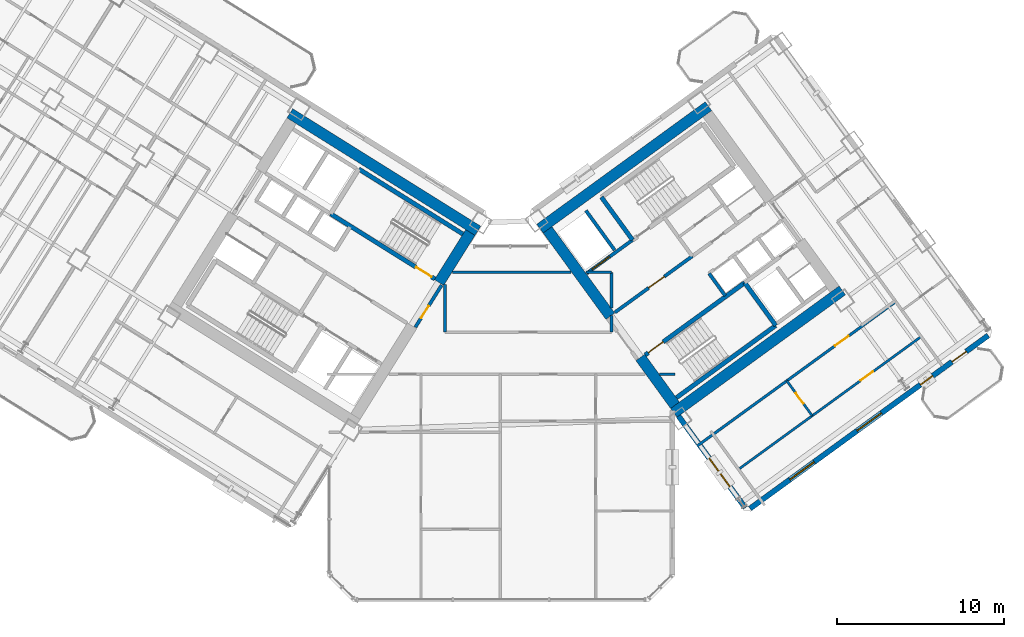
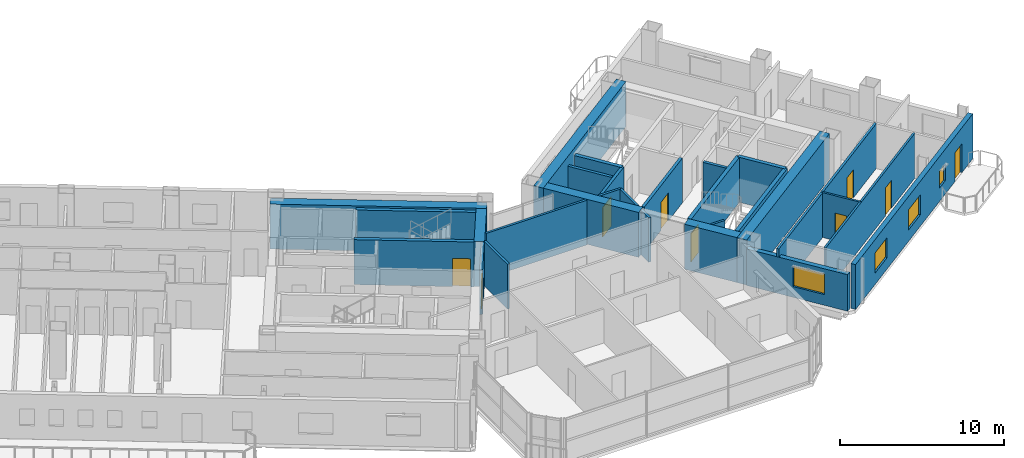
# One storey, part 18 of 24: 28 walls, 9 doors, 4 windows, 13 openings.
"""IFC4 building model written with IfcOpenShell, lengths in metres."""

from ifc_helpers import new_model, si_unit, direction, frame, frame_2d, origin, place, context, subcontext, project, spatial, rectangle, extrude, source, transform, mapped, material, layer, layer_set, type_object, element, fill, save


model = new_model("IFC4")

# Units and contexts
model_context = context("Model", 3, precision=1e-05, world=origin(), true_north=direction((0.0, 1.0)))
body_context = subcontext(model_context, "Body", "Model", "MODEL_VIEW")
ifc_project = project(units=[si_unit("LENGTHUNIT", "METRE"), si_unit("AREAUNIT", "SQUARE_METRE"), si_unit("VOLUMEUNIT", "CUBIC_METRE"), si_unit("PLANEANGLEUNIT", "RADIAN"), si_unit("MASSUNIT", "GRAM", prefix="KILO")], contexts=[model_context])

# Site, building, storey
site_placement = place(None, origin())
site = spatial("IfcSite", under=ifc_project, at=site_placement, CompositionType="ELEMENT")
building_placement = place(site_placement, origin())
building = spatial("IfcBuilding", under=site, at=building_placement, Name="Tlacorven Tower", CompositionType="ELEMENT")
storey_placement = place(building_placement, frame((0.0, 0.0, 31.199951171875)))
storey = spatial("IfcBuildingStorey", under=building, at=storey_placement, Name="L07", CompositionType="ELEMENT", Elevation=31.199951171875)

# Walls
ifc_material_1 = material(Name="Concrete C60/75", Category="concrete")
ifc_layer_1 = layer(ifc_material_1, 0.64990234375)
ifc_layer_set_1 = layer_set([ifc_layer_1], Name="Concrete C60/75")
wall_type_1 = type_object("IfcWallType", Name="WL-COR-650", PredefinedType="SHEAR", material=ifc_layer_set_1)
wall_1_placement = place(storey_placement, frame((40.615478515625, 23.9833984375, 0.0), z_axis=(0.0, 0.0, 1.0), x_axis=(-0.848045953968, 0.529922692436, 0.0)))
element("IfcWall", 1, at=wall_1_placement, inside=storey, type_object=wall_type_1, Name="L07 W core shear wall S1", PredefinedType="SHEAR", context=body_context, shape_type="SweptSolid", body=[
    extrude(rectangle(XDim=13.239990234375, YDim=0.64990234375, at=frame_2d((6.6201171875, 0.0))), origin(), (0.0, 0.0, 1.0), 3.35009765625),
])
wall_2_placement = place(storey_placement, frame((40.167724609375, 23.880126953125, 0.0), z_axis=(0.0, 0.0, 1.0), x_axis=(-0.529893103397, -0.8480644427, 0.0)))
element("IfcWall", 2, at=wall_2_placement, inside=storey, type_object=wall_type_1, Name="L07 W core end wall E1.1", PredefinedType="SHEAR", context=body_context, shape_type="SweptSolid", body=[
    extrude(rectangle(XDim=3.525146484375, YDim=0.64990234375, at=frame_2d((1.7626953125, 0.0))), origin(), (0.0, 0.0, 1.0), 3.35009765625),
])
wall_3_placement = place(storey_placement, frame((52.318359375, 13.1103515625, 0.0), z_axis=(0.0, 0.0, 1.0), x_axis=(0.809019445368, 0.587781878776, 0.0)))
element("IfcWall", 3, at=wall_3_placement, inside=storey, type_object=wall_type_1, Name="L07 E core shear wall S1", PredefinedType="SHEAR", context=body_context, shape_type="SweptSolid", body=[
    extrude(rectangle(XDim=12.43994140625, YDim=0.64990234375, at=frame_2d((6.219970703125, 0.0))), origin(), (0.0, 0.0, 1.0), 3.35009765625),
])
wall_4_placement = place(storey_placement, frame((44.32470703125, 24.113037109375, 0.0), z_axis=(0.0, 0.0, 1.0), x_axis=(0.809012664862, 0.58779121131, 0.0)))
element("IfcWall", 4, at=wall_4_placement, inside=storey, type_object=wall_type_1, Name="L07 E core shear wall S2", PredefinedType="SHEAR", context=body_context, shape_type="SweptSolid", body=[
    extrude(rectangle(XDim=12.439697265625, YDim=0.64990234375, at=frame_2d((6.2197265625, 0.0))), origin(), (0.0, 0.0, 1.0), 3.35009765625),
])
wall_5_placement = place(storey_placement, frame((52.390380859375, 13.564208984375, 0.0), z_axis=(0.0, 0.0, 1.0), x_axis=(-0.58779688989, 0.809008539037, 0.0)))
element("IfcWall", 5, at=wall_5_placement, inside=storey, type_object=wall_type_1, Name="L07 E core end wall E1.1", PredefinedType="SHEAR", context=body_context, shape_type="SweptSolid", body=[
    extrude(rectangle(XDim=3.525146484375, YDim=0.64990234375, at=frame_2d((1.7626953125, 0.0))), origin(), (0.0, 0.0, 1.0), 3.35009765625),
])
wall_6_placement = place(storey_placement, frame((48.525634765625, 18.883544921875, 0.0), z_axis=(0.0, 0.0, 1.0), x_axis=(-0.58777996584, 0.809020835181, 0.0)))
element("IfcWall", 6, at=wall_6_placement, inside=storey, type_object=wall_type_1, Name="L07 E core end wall E1.2", PredefinedType="SHEAR", context=body_context, shape_type="SweptSolid", body=[
    extrude(rectangle(XDim=6.375, YDim=0.64990234375, at=frame_2d((3.1875, 0.0))), origin(), (0.0, 0.0, 1.0), 3.35009765625),
])
ifc_material_2 = material(Name="Gypsum plasterboard acoustic partition", Category="gypsum")
ifc_layer_2 = layer(ifc_material_2, 0.159912109375)
ifc_layer_set_2 = layer_set([ifc_layer_2], Name="Gypsum plasterboard acoustic partition")
wall_type_2 = type_object("IfcWallType", Name="WL-DEM-160", PredefinedType="PARTITIONING", material=ifc_layer_set_2)
wall_7_placement = place(storey_placement, frame((51.477294921875, 15.419921875, 0.0), z_axis=(0.0, 0.0, 1.0), x_axis=(1.0, 0.0, 0.0)))
element("IfcWall", 7, at=wall_7_placement, inside=storey, type_object=wall_type_2, Name="L07 Knuckle Corridor South Wall", PredefinedType="PARTITIONING", context=body_context, shape_type="SweptSolid", body=[
    extrude(rectangle(XDim=0.922607421875, YDim=0.159912109375, at=frame_2d((0.46142578125, 0.0))), origin(), (0.0, 0.0, 1.0), 3.340087890625),
])
wall_8_placement = place(storey_placement, frame((38.64990234375, 17.929931640625, 0.0), z_axis=(0.0, 0.0, 1.0), x_axis=(0.0, 1.0, 0.0)))
element("IfcWall", 8, at=wall_8_placement, inside=storey, type_object=wall_type_2, Name="L07 partition 76", PredefinedType="PARTITIONING", context=body_context, shape_type="SweptSolid", body=[
    extrude(rectangle(XDim=2.85693359375, YDim=0.159912109375, at=frame_2d((1.428466796875, 0.0))), origin(), (0.0, 0.0, 1.0), 3.340087890625),
])
wall_9_placement = place(storey_placement, frame((48.60009765625, 17.929931640625, 0.0), z_axis=(0.0, 0.0, 1.0), x_axis=(0.0, 1.0, 0.0)))
element("IfcWall", 9, at=wall_9_placement, inside=storey, type_object=wall_type_2, Name="L07 partition 77", PredefinedType="PARTITIONING", context=body_context, shape_type="SweptSolid", body=[
    extrude(rectangle(XDim=0.99267578125, YDim=0.159912109375, at=frame_2d((0.496337890625, 0.0))), origin(), (0.0, 0.0, 1.0), 3.340087890625),
])
wall_10_placement = place(storey_placement, frame((48.60009765625, 19.380126953125, 0.0), z_axis=(0.0, 0.0, 1.0), x_axis=(0.0, 1.0, 0.0)))
element("IfcWall", 10, at=wall_10_placement, inside=storey, type_object=wall_type_2, Name="L07 partition 77", PredefinedType="PARTITIONING", context=body_context, shape_type="SweptSolid", body=[
    extrude(rectangle(XDim=2.119873046875, YDim=0.159912109375, at=frame_2d((1.06005859375, 0.0))), origin(), (0.0, 0.0, 1.0), 3.340087890625),
])
wall_11_placement = place(storey_placement, frame((39.095458984375, 21.5, 0.0), z_axis=(0.0, 0.0, 1.0), x_axis=(1.0, 0.0, 0.0)))
element("IfcWall", 11, at=wall_11_placement, inside=storey, type_object=wall_type_2, Name="L07 partition 78", PredefinedType="PARTITIONING", context=body_context, shape_type="SweptSolid", body=[
    extrude(rectangle(XDim=7.09423828125, YDim=0.159912109375, at=frame_2d((3.547119140625, 0.0))), origin(), (0.0, 0.0, 1.0), 3.340087890625),
])
wall_12_placement = place(storey_placement, frame((47.059814453125, 21.5, 0.0), z_axis=(0.0, 0.0, 1.0), x_axis=(1.0, 0.0, 0.0)))
element("IfcWall", 12, at=wall_12_placement, inside=storey, type_object=wall_type_2, Name="L07 partition 78", PredefinedType="PARTITIONING", context=body_context, shape_type="SweptSolid", body=[
    extrude(rectangle(XDim=1.540283203125, YDim=0.159912109375, at=frame_2d((0.77001953125, 0.0))), origin(), (0.0, 0.0, 1.0), 3.340087890625),
])

# Wall, opening, door
wall_13_placement = place(storey_placement, frame((53.70458984375, 11.1259765625, 0.0), z_axis=(0.0, 0.0, 1.0), x_axis=(0.809014504436, 0.587788679384, 0.0)))
wall_13 = element("IfcWall", 13, at=wall_13_placement, inside=storey, type_object=wall_type_2, Name="L07 partition 98", PredefinedType="PARTITIONING", context=body_context, shape_type="SweptSolid", body=[
    extrude(rectangle(XDim=14.669921875, YDim=0.159912109375, at=frame_2d((7.3349609375, 0.0))), origin(), (0.0, 0.0, 1.0), 3.340087890625),
])
opening_1_placement = place(wall_13_placement, frame((10.199951171875, 0.0, 0.0)))
opening_1 = element("IfcOpeningElement", 14, at=opening_1_placement, cuts=wall_13, Name="Opening D11", PredefinedType="OPENING", context=body_context, shape_type="SweptSolid", body=[
    extrude(rectangle(XDim=1.0, YDim=2.10009765625, at=frame_2d((0.5, 1.050048828125))), frame((0.0, 0.08984375, 0.0), z_axis=(0.0, -1.0, 0.0), x_axis=(1.0, 0.0, 0.0)), (0.0, 0.0, 1.0), 0.179931640625),
])
ifc_material_3 = material(Name="Fire-rated steel door assembly", Category="steel")
door_type_1 = type_object("IfcDoorType", Name="DR-FLT-FD60-1000", OperationType="NOTDEFINED", PredefinedType="DOOR", material=ifc_material_3)
shared_shape_1 = source(origin(), body_context, "Body", "SweptSolid", [
    extrude(rectangle(XDim=1.0, YDim=2.10009765625, at=frame_2d((0.5, 1.050048828125))), frame((0.0, 0.02490234375, 0.0), z_axis=(0.0, -1.0, 0.0), x_axis=(1.0, 0.0, 0.0)), (0.0, 0.0, 1.0), 0.050048828125),
])
door_1_placement = place(opening_1_placement, origin())
door_1 = element("IfcDoor", 15, at=door_1_placement, inside=storey, type_object=door_type_1, Name="L07 door 059", OperationType="SINGLE_SWING_RIGHT", OverallHeight=2.10009765625, OverallWidth=1.0, PredefinedType="DOOR", context=body_context, shape_type="MappedRepresentation", body=[
    mapped(shared_shape_1, transform((0.0, 0.0, 0.0), scale=1.0)),
])
fill(opening_1, door_1)

# Wall, openings, door, windows
ifc_material_4 = material(Name="Precast concrete C45/55", Category="concrete")
ifc_layer_3 = layer(ifc_material_4, 0.320068359375)
ifc_layer_set_3 = layer_set([ifc_layer_3], Name="Precast concrete C45/55")
wall_type_3 = type_object("IfcWallType", Name="WL-EXT-320", PredefinedType="STANDARD", material=ifc_layer_set_3)
wall_14_placement = place(storey_placement, frame((71.097900390625, 17.73095703125, 0.0), z_axis=(0.0, 0.0, 1.0), x_axis=(-0.809021120468, -0.587779573171, 0.0)))
wall_14 = element("IfcWall", 16, at=wall_14_placement, inside=storey, type_object=wall_type_3, Name="L07 Masonry-Frame Recessed Facade Wall 6", PredefinedType="STANDARD", context=body_context, shape_type="SweptSolid", body=[
    extrude(rectangle(XDim=17.587646484375, YDim=0.320068359375, at=frame_2d((8.7939453125, 0.0))), origin(), (0.0, 0.0, 1.0), 3.35009765625),
])
opening_2_placement = place(wall_14_placement, frame((1.623779296875, 0.0, 0.0)))
opening_2 = element("IfcOpeningElement", 17, at=opening_2_placement, cuts=wall_14, Name="Opening D06", PredefinedType="OPENING", context=body_context, shape_type="SweptSolid", body=[
    extrude(rectangle(XDim=1.050048828125, YDim=2.14990234375, at=frame_2d((0.52490234375, 1.074951171875))), frame((0.0, 0.169921875, 0.0), z_axis=(0.0, -1.0, 0.0), x_axis=(1.0, 0.0, 0.0)), (0.0, 0.0, 1.0), 0.340087890625),
])
opening_3_placement = place(wall_14_placement, frame((4.103759765625, 0.0, 1.0)))
opening_3 = element("IfcOpeningElement", 18, at=opening_3_placement, cuts=wall_14, Name="Opening WN05", PredefinedType="OPENING", context=body_context, shape_type="SweptSolid", body=[
    extrude(rectangle(XDim=0.89990234375, YDim=1.25, at=frame_2d((0.449951171875, 0.625))), frame((0.0, 0.169921875, 0.0), z_axis=(0.0, -1.0, 0.0), x_axis=(1.0, 0.0, 0.0)), (0.0, 0.0, 1.0), 0.340087890625),
])
opening_4_placement = place(wall_14_placement, frame((7.878662109375, 0.0, 0.85009765625)))
opening_4 = element("IfcOpeningElement", 19, at=opening_4_placement, cuts=wall_14, Name="Opening WN01", PredefinedType="OPENING", context=body_context, shape_type="SweptSolid", body=[
    extrude(rectangle(XDim=1.800048828125, YDim=1.5, at=frame_2d((0.89990234375, 0.75))), frame((0.0, 0.169921875, 0.0), z_axis=(0.0, -1.0, 0.0), x_axis=(1.0, 0.0, 0.0)), (0.0, 0.0, 1.0), 0.340087890625),
])
opening_5_placement = place(wall_14_placement, frame((12.8486328125, 0.0, 0.85009765625)))
opening_5 = element("IfcOpeningElement", 20, at=opening_5_placement, cuts=wall_14, Name="Opening WN01", PredefinedType="OPENING", context=body_context, shape_type="SweptSolid", body=[
    extrude(rectangle(XDim=1.800048828125, YDim=1.5, at=frame_2d((0.89990234375, 0.75))), frame((0.0, 0.169921875, 0.0), z_axis=(0.0, -1.0, 0.0), x_axis=(1.0, 0.0, 0.0)), (0.0, 0.0, 1.0), 0.340087890625),
])
ifc_material_5 = material(Name="Powder-coated aluminium and timber door", Category="wood")
door_type_2 = type_object("IfcDoorType", Name="DR-EXT-BALC-1050", OperationType="NOTDEFINED", PredefinedType="DOOR", material=ifc_material_5)
shared_shape_2 = source(origin(), body_context, "Body", "SweptSolid", [
    extrude(rectangle(XDim=1.050048828125, YDim=2.14990234375, at=frame_2d((0.52490234375, 1.074951171875))), frame((0.0, 0.02490234375, 0.0), z_axis=(0.0, -1.0, 0.0), x_axis=(1.0, 0.0, 0.0)), (0.0, 0.0, 1.0), 0.050048828125),
])
door_2_placement = place(opening_2_placement, origin())
door_2 = element("IfcDoor", 21, at=door_2_placement, inside=storey, type_object=door_type_2, Name="L07 Outdoor Access Door BAL-L07-E-OUT", OperationType="SINGLE_SWING_LEFT", OverallHeight=2.14990234375, OverallWidth=1.050048828125, PredefinedType="DOOR", context=body_context, shape_type="MappedRepresentation", body=[
    mapped(shared_shape_2, transform((0.0, 0.0, 0.0), scale=1.0)),
])
fill(opening_2, door_2)
ifc_material_6 = material(Name="Dark solar low-E double glazing in anodised aluminium frame", Category="aluminium")
window_type_1 = type_object("IfcWindowType", Name="WN-APT-1800X1650", PartitioningType="SINGLE_PANEL", PredefinedType="WINDOW", material=ifc_material_6)
shared_shape_3 = source(origin(), body_context, "Body", "SweptSolid", [
    extrude(rectangle(XDim=1.800048828125, YDim=1.5, at=frame_2d((0.89990234375, 0.75))), frame((0.0, 0.030029296875, 0.0), z_axis=(0.0, -1.0, 0.0), x_axis=(1.0, 0.0, 0.0)), (0.0, 0.0, 1.0), 0.06005859375),
])
window_1_placement = place(opening_4_placement, origin())
window_1 = element("IfcWindow", 22, at=window_1_placement, inside=storey, type_object=window_type_1, Name="L07 Recessed Masonry-Frame Window L07-06.2", OverallHeight=1.5, OverallWidth=1.800048828125, PartitioningType="SINGLE_PANEL", PredefinedType="WINDOW", context=body_context, shape_type="MappedRepresentation", body=[
    mapped(shared_shape_3, transform((0.0, 0.0, 0.0), scale=1.0)),
])
fill(opening_4, window_1)
window_2_placement = place(opening_5_placement, origin())
window_2 = element("IfcWindow", 23, at=window_2_placement, inside=storey, type_object=window_type_1, Name="L07 Recessed Masonry-Frame Window L07-06.3", OverallHeight=1.5, OverallWidth=1.800048828125, PartitioningType="SINGLE_PANEL", PredefinedType="WINDOW", context=body_context, shape_type="MappedRepresentation", body=[
    mapped(shared_shape_3, transform((0.0, 0.0, 0.0), scale=1.0)),
])
fill(opening_5, window_2)
window_type_2 = type_object("IfcWindowType", Name="WN-APT-0900X1350", PartitioningType="SINGLE_PANEL", PredefinedType="WINDOW", material=ifc_material_6)
shared_shape_4 = source(origin(), body_context, "Body", "SweptSolid", [
    extrude(rectangle(XDim=0.89990234375, YDim=1.25, at=frame_2d((0.449951171875, 0.625))), frame((0.0, 0.030029296875, 0.0), z_axis=(0.0, -1.0, 0.0), x_axis=(1.0, 0.0, 0.0)), (0.0, 0.0, 1.0), 0.06005859375),
])
window_3_placement = place(opening_3_placement, origin())
window_3 = element("IfcWindow", 24, at=window_3_placement, inside=storey, type_object=window_type_2, Name="L07 Recessed Masonry-Frame Window L07-06.1", OverallHeight=1.25, OverallWidth=0.89990234375, PartitioningType="SINGLE_PANEL", PredefinedType="WINDOW", context=body_context, shape_type="MappedRepresentation", body=[
    mapped(shared_shape_4, transform((0.0, 0.0, 0.0), scale=1.0)),
])
fill(opening_3, window_3)

# Wall, opening, window
wall_15_placement = place(storey_placement, frame((56.5810546875, 7.43896484375, 0.0), z_axis=(0.0, 0.0, 1.0), x_axis=(-0.587785875463, 0.809016541614, 0.0)))
wall_15 = element("IfcWall", 25, at=wall_15_placement, inside=storey, type_object=wall_type_3, Name="L07 Masonry-Frame Recessed Facade Wall 7", PredefinedType="STANDARD", context=body_context, shape_type="SweptSolid", body=[
    extrude(rectangle(XDim=6.773681640625, YDim=0.320068359375, at=frame_2d((3.38671875, 0.0))), origin(), (0.0, 0.0, 1.0), 2.72509765625),
])
opening_6_placement = place(wall_15_placement, frame((1.55615234375, 0.0, 0.800048828125)))
opening_6 = element("IfcOpeningElement", 26, at=opening_6_placement, cuts=wall_15, Name="Opening WN04", PredefinedType="OPENING", context=body_context, shape_type="SweptSolid", body=[
    extrude(rectangle(XDim=2.10009765625, YDim=1.550048828125, at=frame_2d((1.050048828125, 0.77490234375))), frame((0.0, 0.169921875, 0.0), z_axis=(0.0, -1.0, 0.0), x_axis=(1.0, 0.0, 0.0)), (0.0, 0.0, 1.0), 0.340087890625),
])
window_type_3 = type_object("IfcWindowType", Name="WN-APT-2100X1750", PartitioningType="SINGLE_PANEL", PredefinedType="WINDOW", material=ifc_material_6)
shared_shape_5 = source(origin(), body_context, "Body", "SweptSolid", [
    extrude(rectangle(XDim=2.10009765625, YDim=1.550048828125, at=frame_2d((1.050048828125, 0.77490234375))), frame((0.0, 0.030029296875, 0.0), z_axis=(0.0, -1.0, 0.0), x_axis=(1.0, 0.0, 0.0)), (0.0, 0.0, 1.0), 0.06005859375),
])
window_4_placement = place(opening_6_placement, origin())
window_4 = element("IfcWindow", 27, at=window_4_placement, inside=storey, type_object=window_type_3, Name="L07 Recessed Masonry-Frame Window L07-07.1", OverallHeight=1.550048828125, OverallWidth=2.10009765625, PartitioningType="SINGLE_PANEL", PredefinedType="WINDOW", context=body_context, shape_type="MappedRepresentation", body=[
    mapped(shared_shape_5, transform((0.0, 0.0, 0.0), scale=1.0)),
])
fill(opening_6, window_4)

# Wall, opening, door
ifc_material_7 = material(Name="Moisture-resistant gypsum plumbing wall", Category="gypsum")
ifc_layer_4 = layer(ifc_material_7, 0.139892578125)
ifc_layer_set_4 = layer_set([ifc_layer_4], Name="Moisture-resistant gypsum plumbing wall")
wall_type_4 = type_object("IfcWallType", Name="WL-PLM-140", PredefinedType="PLUMBINGWALL", material=ifc_layer_set_4)
wall_16_placement = place(storey_placement, frame((56.24853515625, 9.78515625, 0.0), z_axis=(0.0, 0.0, 1.0), x_axis=(0.809011747655, 0.587792473715, 0.0)))
wall_16 = element("IfcWall", 28, at=wall_16_placement, inside=storey, type_object=wall_type_4, Name="L07 partition 100", PredefinedType="PLUMBINGWALL", context=body_context, shape_type="SweptSolid", body=[
    extrude(rectangle(XDim=13.400146484375, YDim=0.139892578125, at=frame_2d((6.7001953125, 0.0))), origin(), (0.0, 0.0, 1.0), 3.340087890625),
])
opening_7_placement = place(wall_16_placement, frame((8.93994140625, 0.0, 0.0)))
opening_7 = element("IfcOpeningElement", 29, at=opening_7_placement, cuts=wall_16, Name="Opening D12", PredefinedType="OPENING", context=body_context, shape_type="SweptSolid", body=[
    extrude(rectangle(XDim=0.919921875, YDim=2.080078125, at=frame_2d((0.4599609375, 1.0400390625))), frame((0.0, 0.080078125, 0.0), z_axis=(0.0, -1.0, 0.0), x_axis=(1.0, 0.0, 0.0)), (0.0, 0.0, 1.0), 0.159912109375),
])
door_type_3 = type_object("IfcDoorType", Name="DR-INT-ROOM-0920", OperationType="NOTDEFINED", PredefinedType="DOOR", material=ifc_material_5)
shared_shape_6 = source(origin(), body_context, "Body", "SweptSolid", [
    extrude(rectangle(XDim=0.919921875, YDim=2.080078125, at=frame_2d((0.4599609375, 1.0400390625))), frame((0.0, 0.02490234375, 0.0), z_axis=(0.0, -1.0, 0.0), x_axis=(1.0, 0.0, 0.0)), (0.0, 0.0, 1.0), 0.050048828125),
])
door_3_placement = place(opening_7_placement, origin())
door_3 = element("IfcDoor", 30, at=door_3_placement, inside=storey, type_object=door_type_3, Name="L07 door 060", OperationType="SINGLE_SWING_LEFT", OverallHeight=2.080078125, OverallWidth=0.919921875, PredefinedType="DOOR", context=body_context, shape_type="MappedRepresentation", body=[
    mapped(shared_shape_6, transform((0.0, 0.0, 0.0), scale=1.0)),
])
fill(opening_7, door_3)

wall_17_placement = place(storey_placement, frame((60.584716796875, 12.935791015625, 0.0), z_axis=(0.0, 0.0, 1.0), x_axis=(-0.587772116736, 0.809026537752, 0.0)))
wall_17 = element("IfcWall", 31, at=wall_17_placement, inside=storey, type_object=wall_type_4, Name="L07 partition 101", PredefinedType="PLUMBINGWALL", context=body_context, shape_type="SweptSolid", body=[
    extrude(rectangle(XDim=2.579833984375, YDim=0.139892578125, at=frame_2d((1.2900390625, 0.0))), origin(), (0.0, 0.0, 1.0), 3.340087890625),
])
opening_8_placement = place(wall_17_placement, frame((0.89990234375, 0.0, 0.0)))
opening_8 = element("IfcOpeningElement", 32, at=opening_8_placement, cuts=wall_17, Name="Opening D22", PredefinedType="OPENING", context=body_context, shape_type="SweptSolid", body=[
    extrude(rectangle(XDim=0.780029296875, YDim=2.050048828125, at=frame_2d((0.39013671875, 1.02490234375))), frame((0.0, 0.080078125, 0.0), z_axis=(0.0, -1.0, 0.0), x_axis=(1.0, 0.0, 0.0)), (0.0, 0.0, 1.0), 0.159912109375),
])
door_type_4 = type_object("IfcDoorType", Name="DR-INT-WET-0780", OperationType="NOTDEFINED", PredefinedType="DOOR", material=ifc_material_5)
shared_shape_7 = source(origin(), body_context, "Body", "SweptSolid", [
    extrude(rectangle(XDim=0.780029296875, YDim=2.050048828125, at=frame_2d((0.39013671875, 1.02490234375))), frame((0.0, 0.02490234375, 0.0), z_axis=(0.0, -1.0, 0.0), x_axis=(1.0, 0.0, 0.0)), (0.0, 0.0, 1.0), 0.050048828125),
])
door_4_placement = place(opening_8_placement, origin())
door_4 = element("IfcDoor", 33, at=door_4_placement, inside=storey, type_object=door_type_4, Name="L07 door 061", OperationType="SINGLE_SWING_RIGHT", OverallHeight=2.050048828125, OverallWidth=0.780029296875, PredefinedType="DOOR", context=body_context, shape_type="MappedRepresentation", body=[
    mapped(shared_shape_7, transform((0.0, 0.0, 0.0), scale=1.0)),
])
fill(opening_8, door_4)

ifc_material_8 = material(Name="Concrete C40/50", Category="concrete")
ifc_layer_5 = layer(ifc_material_8, 0.199951171875)
ifc_layer_set_5 = layer_set([ifc_layer_5], Name="Concrete C40/50")
wall_type_5 = type_object("IfcWallType", Name="WL-SHF-200", PredefinedType="STANDARD", material=ifc_layer_set_5)
wall_18_placement = place(storey_placement, frame((47.10595703125, 21.4365234375, 0.0), z_axis=(0.0, 0.0, 1.0), x_axis=(0.809012514015, 0.58779141893, 0.0)))
wall_18 = element("IfcWall", 34, at=wall_18_placement, inside=storey, type_object=wall_type_5, Name="L07 Core E Firefighting Lift Shaft Front Wall", PredefinedType="STANDARD", context=body_context, shape_type="SweptSolid", body=[
    extrude(rectangle(XDim=3.39794921875, YDim=0.199951171875, at=frame_2d((1.698974609375, 0.0))), origin(), (0.0, 0.0, 1.0), 3.340087890625),
])
opening_9_placement = place(wall_18_placement, frame((0.407958984375, 0.0, 0.0)))
opening_9 = element("IfcOpeningElement", 35, at=opening_9_placement, cuts=wall_18, Name="Opening LD03", PredefinedType="OPENING", context=body_context, shape_type="SweptSolid", body=[
    extrude(rectangle(XDim=1.300048828125, YDim=2.199951171875, at=frame_2d((0.64990234375, 1.10009765625))), frame((0.0, 0.10986328125, 0.0), z_axis=(0.0, -1.0, 0.0), x_axis=(1.0, 0.0, 0.0)), (0.0, 0.0, 1.0), 0.219970703125),
])
door_type_5 = type_object("IfcDoorType", Name="DR-LFT-SLID-1300", OperationType="DOUBLE_DOOR_SLIDING", PredefinedType="DOOR", material=ifc_material_3)
shared_shape_8 = source(origin(), body_context, "Body", "SweptSolid", [
    extrude(rectangle(XDim=1.300048828125, YDim=2.199951171875, at=frame_2d((0.64990234375, 1.10009765625))), frame((0.0, 0.02490234375, 0.0), z_axis=(0.0, -1.0, 0.0), x_axis=(1.0, 0.0, 0.0)), (0.0, 0.0, 1.0), 0.050048828125),
])
door_5_placement = place(opening_9_placement, origin())
door_5 = element("IfcDoor", 36, at=door_5_placement, inside=storey, type_object=door_type_5, Name="L07 Lift FFL-E1 Sliding Landing Door", OperationType="DOUBLE_DOOR_SLIDING", OverallHeight=2.199951171875, OverallWidth=1.300048828125, PredefinedType="DOOR", context=body_context, shape_type="MappedRepresentation", body=[
    mapped(shared_shape_8, transform((0.0, 0.0, 0.0), scale=1.0)),
])
fill(opening_9, door_5)

wall_19_placement = place(storey_placement, frame((48.798828125, 19.106689453125, 0.0), z_axis=(0.0, 0.0, 1.0), x_axis=(0.809012959416, 0.587790805897, 0.0)))
wall_19 = element("IfcWall", 37, at=wall_19_placement, inside=storey, type_object=wall_type_5, Name="L07 Core E Smoke Lobby Wall", PredefinedType="STANDARD", context=body_context, shape_type="SweptSolid", body=[
    extrude(rectangle(XDim=5.7177734375, YDim=0.199951171875, at=frame_2d((2.85888671875, 0.0))), origin(), (0.0, 0.0, 1.0), 3.340087890625),
])
opening_10_placement = place(wall_19_placement, frame((2.498046875, 0.0, 0.0)))
opening_10 = element("IfcOpeningElement", 38, at=opening_10_placement, cuts=wall_19, Name="Opening D09", PredefinedType="OPENING", context=body_context, shape_type="SweptSolid", body=[
    extrude(rectangle(XDim=1.14990234375, YDim=2.10009765625, at=frame_2d((0.574951171875, 1.050048828125))), frame((0.0, 0.10986328125, 0.0), z_axis=(0.0, -1.0, 0.0), x_axis=(1.0, 0.0, 0.0)), (0.0, 0.0, 1.0), 0.219970703125),
])
door_type_6 = type_object("IfcDoorType", Name="DR-FFL-FD60-1150", OperationType="NOTDEFINED", PredefinedType="DOOR", material=ifc_material_3)
shared_shape_9 = source(origin(), body_context, "Body", "SweptSolid", [
    extrude(rectangle(XDim=1.14990234375, YDim=2.10009765625, at=frame_2d((0.574951171875, 1.050048828125))), frame((0.0, 0.02490234375, 0.0), z_axis=(0.0, -1.0, 0.0), x_axis=(1.0, 0.0, 0.0)), (0.0, 0.0, 1.0), 0.050048828125),
])
door_6_placement = place(opening_10_placement, origin())
door_6 = element("IfcDoor", 39, at=door_6_placement, inside=storey, type_object=door_type_6, Name="L07 Firefighting Lobby E Fire Door", OperationType="SINGLE_SWING_RIGHT", OverallHeight=2.10009765625, OverallWidth=1.14990234375, PredefinedType="DOOR", context=body_context, shape_type="MappedRepresentation", body=[
    mapped(shared_shape_9, transform((0.0, 0.0, 0.0), scale=1.0)),
])
fill(opening_10, door_6)

# Walls
wall_20_placement = place(storey_placement, frame((55.390869140625, 20.1015625, 0.0), z_axis=(0.0, 0.0, 1.0), x_axis=(-0.58778447739, 0.809017557374, 0.0)))
element("IfcWall", 40, at=wall_20_placement, inside=storey, type_object=wall_type_5, Name="L07 partition 34", PredefinedType="STANDARD", context=body_context, shape_type="SweptSolid", body=[
    extrude(rectangle(XDim=1.64990234375, YDim=0.199951171875, at=frame_2d((0.824951171875, 0.0))), origin(), (0.0, 0.0, 1.0), 3.340087890625),
])
wall_21_placement = place(storey_placement, frame((48.78564453125, 22.830078125, 0.0), z_axis=(0.0, 0.0, 1.0), x_axis=(-0.587783856777, 0.809018008275, 0.0)))
element("IfcWall", 41, at=wall_21_placement, inside=storey, type_object=wall_type_5, Name="L07 partition 35", PredefinedType="STANDARD", context=body_context, shape_type="SweptSolid", body=[
    extrude(rectangle(XDim=2.919921875, YDim=0.199951171875, at=frame_2d((1.4599609375, 0.0))), origin(), (0.0, 0.0, 1.0), 3.340087890625),
])

# Wall, opening, door
wall_22_placement = place(storey_placement, frame((38.451416015625, 20.737060546875, 0.0), z_axis=(0.0, 0.0, 1.0), x_axis=(-0.529924799939, -0.848044637038, 0.0)))
wall_22 = element("IfcWall", 42, at=wall_22_placement, inside=storey, type_object=wall_type_5, Name="L07 partition 73", PredefinedType="STANDARD", context=body_context, shape_type="SweptSolid", body=[
    extrude(rectangle(XDim=2.9599609375, YDim=0.199951171875, at=frame_2d((1.47998046875, 0.0))), origin(), (0.0, 0.0, 1.0), 3.340087890625),
])
opening_11_placement = place(wall_22_placement, frame((1.4599609375, 0.0, 0.0)))
opening_11 = element("IfcOpeningElement", 43, at=opening_11_placement, cuts=wall_22, Name="Opening D19", PredefinedType="OPENING", context=body_context, shape_type="SweptSolid", body=[
    extrude(rectangle(XDim=0.860107421875, YDim=2.050048828125, at=frame_2d((0.43017578125, 1.02490234375))), frame((0.0, 0.10986328125, 0.0), z_axis=(0.0, -1.0, 0.0), x_axis=(1.0, 0.0, 0.0)), (0.0, 0.0, 1.0), 0.219970703125),
])
door_type_7 = type_object("IfcDoorType", Name="DR-RSR-FD60-0860", OperationType="NOTDEFINED", PredefinedType="DOOR", material=ifc_material_3)
shared_shape_10 = source(origin(), body_context, "Body", "SweptSolid", [
    extrude(rectangle(XDim=0.860107421875, YDim=2.050048828125, at=frame_2d((0.43017578125, 1.02490234375))), frame((0.0, 0.02490234375, 0.0), z_axis=(0.0, -1.0, 0.0), x_axis=(1.0, 0.0, 0.0)), (0.0, 0.0, 1.0), 0.050048828125),
])
door_7_placement = place(opening_11_placement, frame((0.860107421875, 0.0, 0.0), z_axis=(0.0, 0.0, 1.0), x_axis=(-1.0, 0.0, 0.0)))
door_7 = element("IfcDoor", 44, at=door_7_placement, inside=storey, type_object=door_type_7, Name="L07 door 042", OperationType="SINGLE_SWING_LEFT", OverallHeight=2.050048828125, OverallWidth=0.860107421875, PredefinedType="DOOR", context=body_context, shape_type="MappedRepresentation", body=[
    mapped(shared_shape_10, transform((0.0, 0.0, 0.0), scale=1.0)),
])
fill(opening_11, door_7)

# Wall
ifc_material_9 = material(Name="Concrete C50/60", Category="concrete")
ifc_layer_6 = layer(ifc_material_9, 0.260009765625)
ifc_layer_set_6 = layer_set([ifc_layer_6], Name="Concrete C50/60")
wall_type_6 = type_object("IfcWallType", Name="WL-STW-260", PredefinedType="SHEAR", material=ifc_layer_set_6)
wall_23_placement = place(storey_placement, frame((39.720947265625, 23.787841796875, 0.0), z_axis=(0.0, 0.0, 1.0), x_axis=(-0.848054434086, 0.529909121291, 0.0)))
element("IfcWall", 45, at=wall_23_placement, inside=storey, type_object=wall_type_6, Name="L07 Stair W2 Far Shear Wall", PredefinedType="SHEAR", context=body_context, shape_type="SweptSolid", body=[
    extrude(rectangle(XDim=7.330078125, YDim=0.260009765625, at=frame_2d((3.6650390625, 0.0))), origin(), (0.0, 0.0, 1.0), 3.35009765625),
])

# Wall, opening, door
wall_24_placement = place(storey_placement, frame((38.04638671875, 21.10791015625, 0.0), z_axis=(0.0, 0.0, 1.0), x_axis=(-0.848054434086, 0.529909121291, 0.0)))
wall_24 = element("IfcWall", 46, at=wall_24_placement, inside=storey, type_object=wall_type_6, Name="L07 Stair W2 Lobby Shear Wall", PredefinedType="SHEAR", context=body_context, shape_type="SweptSolid", body=[
    extrude(rectangle(XDim=7.330078125, YDim=0.260009765625, at=frame_2d((3.6650390625, 0.0))), origin(), (0.0, 0.0, 1.0), 3.35009765625),
])
opening_12_placement = place(wall_24_placement, frame((0.219970703125, 0.0, 0.0)))
opening_12 = element("IfcOpeningElement", 47, at=opening_12_placement, cuts=wall_24, Name="Opening D07", PredefinedType="OPENING", context=body_context, shape_type="SweptSolid", body=[
    extrude(rectangle(XDim=1.10009765625, YDim=2.10009765625, at=frame_2d((0.550048828125, 1.050048828125))), frame((0.0, 0.14013671875, 0.0), z_axis=(0.0, -1.0, 0.0), x_axis=(1.0, 0.0, 0.0)), (0.0, 0.0, 1.0), 0.280029296875),
])
door_type_8 = type_object("IfcDoorType", Name="DR-STR-FD90-1100", OperationType="NOTDEFINED", PredefinedType="DOOR", material=ifc_material_3)
shared_shape_11 = source(origin(), body_context, "Body", "SweptSolid", [
    extrude(rectangle(XDim=1.10009765625, YDim=2.10009765625, at=frame_2d((0.550048828125, 1.050048828125))), frame((0.0, 0.02490234375, 0.0), z_axis=(0.0, -1.0, 0.0), x_axis=(1.0, 0.0, 0.0)), (0.0, 0.0, 1.0), 0.050048828125),
])
door_8_placement = place(opening_12_placement, origin())
door_8 = element("IfcDoor", 48, at=door_8_placement, inside=storey, type_object=door_type_8, Name="L07 Exit Stair W2 Fire Door", OperationType="SINGLE_SWING_RIGHT", OverallHeight=2.10009765625, OverallWidth=1.10009765625, PredefinedType="DOOR", context=body_context, shape_type="MappedRepresentation", body=[
    mapped(shared_shape_11, transform((0.0, 0.0, 0.0), scale=1.0)),
])
fill(opening_12, door_8)

# Walls
wall_25_placement = place(storey_placement, frame((49.85498046875, 23.433837890625, 0.0), z_axis=(0.0, 0.0, 1.0), x_axis=(-0.58776738483, 0.809029975545, 0.0)))
element("IfcWall", 49, at=wall_25_placement, inside=storey, type_object=wall_type_6, Name="L07 Stair E1 West Shear Wall", PredefinedType="SHEAR", context=body_context, shape_type="SweptSolid", body=[
    extrude(rectangle(XDim=3.16015625, YDim=0.260009765625, at=frame_2d((1.580078125, 0.0))), origin(), (0.0, 0.0, 1.0), 3.35009765625),
])
wall_26_placement = place(storey_placement, frame((52.47216796875, 14.01318359375, 0.0), z_axis=(0.0, 0.0, 1.0), x_axis=(0.809028366311, 0.587769599847, 0.0)))
element("IfcWall", 50, at=wall_26_placement, inside=storey, type_object=wall_type_6, Name="L07 Stair E2 Far Shear Wall", PredefinedType="SHEAR", context=body_context, shape_type="SweptSolid", body=[
    extrude(rectangle(XDim=7.330078125, YDim=0.260009765625, at=frame_2d((3.6650390625, 0.0))), origin(), (0.0, 0.0, 1.0), 3.35009765625),
])

# Wall, opening, door
wall_27_placement = place(storey_placement, frame((50.61474609375, 16.569580078125, 0.0), z_axis=(0.0, 0.0, 1.0), x_axis=(0.809028366311, 0.587769599847, 0.0)))
wall_27 = element("IfcWall", 51, at=wall_27_placement, inside=storey, type_object=wall_type_6, Name="L07 Stair E2 Lobby Shear Wall", PredefinedType="SHEAR", context=body_context, shape_type="SweptSolid", body=[
    extrude(rectangle(XDim=7.330078125, YDim=0.260009765625, at=frame_2d((3.6650390625, 0.0))), origin(), (0.0, 0.0, 1.0), 3.35009765625),
])
opening_13_placement = place(wall_27_placement, frame((0.219970703125, 0.0, 0.0)))
opening_13 = element("IfcOpeningElement", 52, at=opening_13_placement, cuts=wall_27, Name="Opening D07", PredefinedType="OPENING", context=body_context, shape_type="SweptSolid", body=[
    extrude(rectangle(XDim=1.10009765625, YDim=2.10009765625, at=frame_2d((0.550048828125, 1.050048828125))), frame((0.0, 0.14013671875, 0.0), z_axis=(0.0, -1.0, 0.0), x_axis=(1.0, 0.0, 0.0)), (0.0, 0.0, 1.0), 0.280029296875),
])
door_9_placement = place(opening_13_placement, origin())
door_9 = element("IfcDoor", 53, at=door_9_placement, inside=storey, type_object=door_type_8, Name="L07 Exit Stair E2 Fire Door", OperationType="SINGLE_SWING_LEFT", OverallHeight=2.10009765625, OverallWidth=1.10009765625, PredefinedType="DOOR", context=body_context, shape_type="MappedRepresentation", body=[
    mapped(shared_shape_11, transform((0.0, 0.0, 0.0), scale=1.0)),
])
fill(opening_13, door_9)

# Wall
wall_28_placement = place(storey_placement, frame((58.410400390625, 18.327392578125, 0.0), z_axis=(0.0, 0.0, 1.0), x_axis=(-0.58776738483, 0.809029975545, 0.0)))
element("IfcWall", 54, at=wall_28_placement, inside=storey, type_object=wall_type_6, Name="L07 Stair E2 East Shear Wall", PredefinedType="SHEAR", context=body_context, shape_type="SweptSolid", body=[
    extrude(rectangle(XDim=3.16015625, YDim=0.260009765625, at=frame_2d((1.580078125, 0.0))), origin(), (0.0, 0.0, 1.0), 3.35009765625),
])

save(model, "model.ifc")
